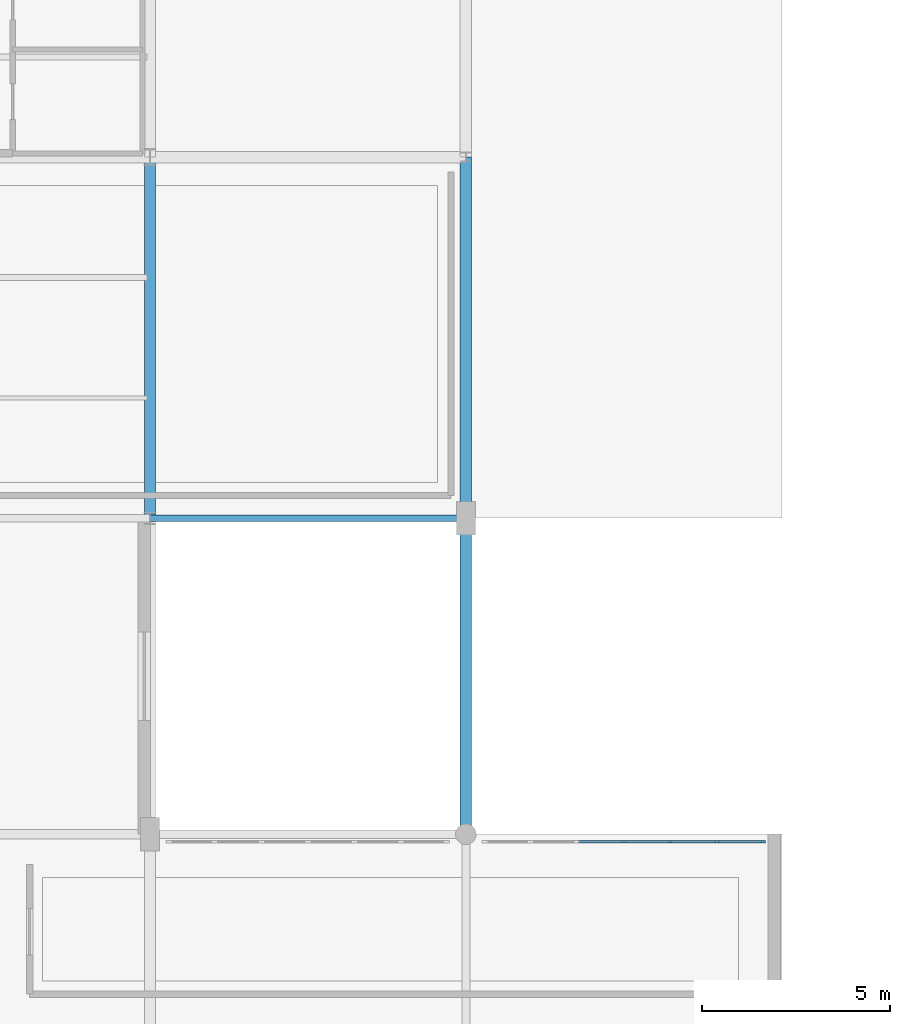
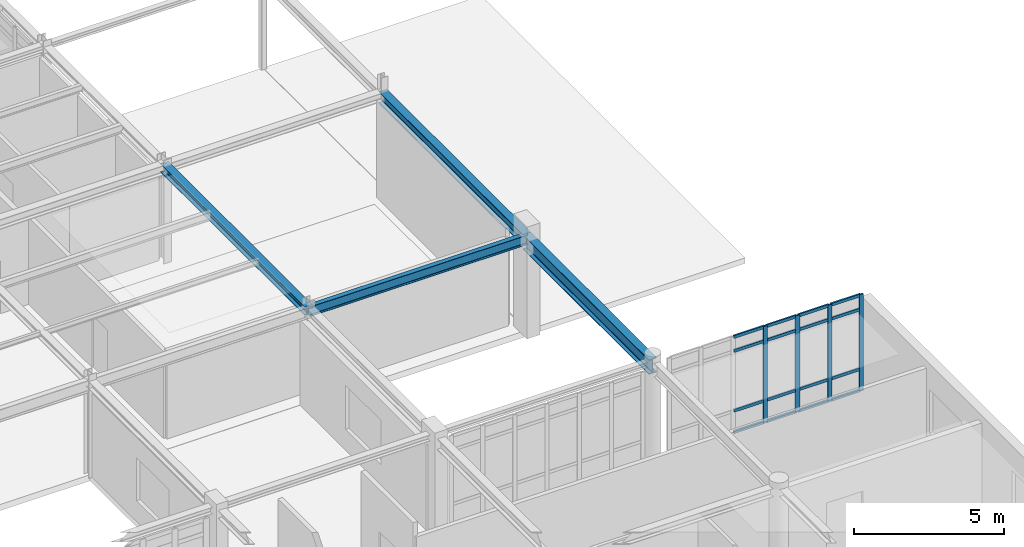
# One storey, part 24 of 90: 20 members, 4 beams, 1 element without a shape of its own.
"""IFC4 building model written with IfcOpenShell, lengths in metres."""

import ifcopenshell
import ifcopenshell.guid

model = None  # the IFC model being written
_history = None  # IfcOwnerHistory: only IFC2X3 demands one
_inside = {}  # id of a spatial element -> (the spatial element, [elements in it])
_under = {}  # id of a project, library or spatial element -> (it, [spatial elements below it])
_declared = {}  # id of a project -> (the project, [libraries it declares])
_typed = {}  # id of a type object -> (the type object, [elements of that type])
_made_of = {}  # id of a material, layer set ... -> (it, [elements and type objects made of it])


def new_model(schema):
    """Start an empty IFC model of exactly this schema.

    Asked for "IFC4X3", IfcOpenShell would pick the latest addendum, in which some entities
    have other attributes; the version numbers below select the first issue.
    IFC2X3 requires an IfcOwnerHistory on every rooted entity: one is made here for all.
    """
    global model, _history
    if schema == "IFC4X3":
        model = ifcopenshell.file(schema_version=(4, 3, 0, 0))
    else:
        model = ifcopenshell.file(schema=schema)
    _inside.clear()
    _under.clear()
    _declared.clear()
    _typed.clear()
    _made_of.clear()
    _history = None
    if model.schema == "IFC2X3":
        org = make("IfcOrganization", Name="unknown")
        user = make(
            "IfcPersonAndOrganization",
            ThePerson=make("IfcPerson", FamilyName="unknown"),
            TheOrganization=org,
        )
        app = make(
            "IfcApplication",
            ApplicationDeveloper=org,
            Version="unknown",
            ApplicationFullName="unknown",
            ApplicationIdentifier="unknown",
        )
        _history = make(
            "IfcOwnerHistory",
            OwningUser=user,
            OwningApplication=app,
            ChangeAction="ADDED",
            CreationDate=0,
        )
    return model


def make(cls, **values):
    """One entity of the class cls with the attributes given. An attribute that is None is left unset."""
    return model.create_entity(
        cls, **{name: value for name, value in values.items() if value is not None}
    )


def rooted(cls, **values):
    """An entity with a GlobalId (a new one), such as an element, a storey or a relation."""
    return make(cls, GlobalId=ifcopenshell.guid.new(), OwnerHistory=_history, **values)


def si_unit(unit_type, name, prefix=None):
    """IfcSIUnit, for example si_unit("LENGTHUNIT", "METRE", prefix="MILLI")."""
    return make("IfcSIUnit", UnitType=unit_type, Prefix=prefix, Name=name)


def derived_unit(unit_type, elements):
    """IfcDerivedUnit: a product of units, each with its exponent."""
    return make(
        "IfcDerivedUnit",
        Elements=[
            make("IfcDerivedUnitElement", Unit=unit, Exponent=power)
            for unit, power in elements
        ],
        UnitType=unit_type,
    )


def assignment(units):
    """IfcUnitAssignment: the units of a project."""
    return None if units is None else make("IfcUnitAssignment", Units=units)


def point(xyz):
    """IfcCartesianPoint."""
    return None if xyz is None else make("IfcCartesianPoint", Coordinates=xyz)


def direction(xyz):
    """IfcDirection."""
    return None if xyz is None else make("IfcDirection", DirectionRatios=xyz)


def frame(location, z_axis=None, x_axis=None):
    """IfcAxis2Placement3D, a coordinate frame: its origin and axes. An axis left out is left unset."""
    return make(
        "IfcAxis2Placement3D",
        Location=point(location),
        Axis=direction(z_axis),
        RefDirection=direction(x_axis),
    )


def frame_2d(location, x_axis=None):
    """IfcAxis2Placement2D, a coordinate frame in the plane: its origin and x axis."""
    return make(
        "IfcAxis2Placement2D", Location=point(location), RefDirection=direction(x_axis)
    )


def origin():
    """The frame at (0, 0, 0) with its axes left unset."""
    return frame((0.0, 0.0, 0.0))


def origin_2d():
    """The frame at (0, 0) in the plane with its x axis left unset."""
    return frame_2d((0.0, 0.0))


def place(relative_to, where):
    """IfcLocalPlacement: puts the frame where relative to a parent placement (None: the world)."""
    return make(
        "IfcLocalPlacement", PlacementRelTo=relative_to, RelativePlacement=where
    )


def context(
    kind, dimensions, precision=None, world=None, true_north=None, identifier=None
):
    """IfcGeometricRepresentationContext, for example the 3D "Model" context."""
    return make(
        "IfcGeometricRepresentationContext",
        ContextIdentifier=identifier,
        ContextType=kind,
        CoordinateSpaceDimension=dimensions,
        Precision=precision,
        WorldCoordinateSystem=world,
        TrueNorth=true_north,
    )


def subcontext(parent, identifier, kind, view, scale=None):
    """IfcGeometricRepresentationSubContext, for example "Body" below "Model"."""
    return make(
        "IfcGeometricRepresentationSubContext",
        ContextIdentifier=identifier,
        ContextType=kind,
        ParentContext=parent,
        TargetScale=scale,
        TargetView=view,
    )


def project(units=None, contexts=None):
    """IfcProject with its units and contexts."""
    return rooted(
        "IfcProject",
        Name="project",
        RepresentationContexts=contexts,
        UnitsInContext=assignment(units),
    )


def spatial(cls, under=None, at=None, **own):
    """A site, building, storey or space (cls), placed at a placement, below another one or the project."""
    s = rooted(cls, ObjectPlacement=at, **own)
    if under is not None:
        _under.setdefault(under.id(), (under, []))[1].append(s)
    return s


def profile(cls, at=None, kind="AREA", **sizes):
    """A parametric profile (cls). Its sizes go by their IFC names, for example OverallWidth=200.0."""
    return make(cls, ProfileType=kind, Position=at, **sizes)


def rectangle(**sizes):
    """IfcRectangleProfileDef."""
    return profile("IfcRectangleProfileDef", **sizes)


def i_section(**sizes):
    """IfcIShapeProfileDef."""
    return profile("IfcIShapeProfileDef", **sizes)


def extrude(swept, where, along, depth):
    """IfcExtrudedAreaSolid: the profile swept, set in the frame where, extruded along a direction by depth."""
    return make(
        "IfcExtrudedAreaSolid",
        SweptArea=swept,
        Position=where,
        ExtrudedDirection=direction(along),
        Depth=depth,
    )


def shape(context_of_items, identifier, shape_type, items):
    """IfcShapeRepresentation: the items that make up one representation, for example the "Body"."""
    return make(
        "IfcShapeRepresentation",
        ContextOfItems=context_of_items,
        RepresentationIdentifier=identifier,
        RepresentationType=shape_type,
        Items=items,
    )


def material(Name=None, Category=None):
    """IfcMaterial."""
    return make("IfcMaterial", Name=Name, Category=Category)


def layer(
    of_material, thickness, ventilated=None, Name=None, Category=None, Priority=None
):
    """IfcMaterialLayer: one layer of a wall or slab, of a material (None: an air gap)."""
    return make(
        "IfcMaterialLayer",
        Material=of_material,
        LayerThickness=thickness,
        IsVentilated=ventilated,
        Name=Name,
        Category=Category,
        Priority=Priority,
    )


def layer_set(layers, Name=None):
    """IfcMaterialLayerSet."""
    return make("IfcMaterialLayerSet", MaterialLayers=layers, LayerSetName=Name)


def material_profile(
    of_material, cross_section, Name=None, Category=None, Priority=None
):
    """IfcMaterialProfile: a cross section and its material."""
    return make(
        "IfcMaterialProfile",
        Name=Name,
        Material=of_material,
        Profile=cross_section,
        Priority=Priority,
        Category=Category,
    )


def profile_set(profiles, Name=None, composite=None):
    """IfcMaterialProfileSet."""
    return make(
        "IfcMaterialProfileSet",
        Name=Name,
        MaterialProfiles=profiles,
        CompositeProfile=composite,
    )


def made_of(thing, what):
    """Note that an element or type object is made of a material, layer set ...; save() writes the relation."""
    if what is not None:
        _made_of.setdefault(what.id(), (what, []))[1].append(thing)
    return thing


def type_object(cls, material=None, **own):
    """A type object (cls), such as IfcWallType, which elements share."""
    return made_of(rooted(cls, **own), material)


def element(
    cls,
    number,
    at=None,
    inside=None,
    cuts=None,
    type_object=None,
    material=None,
    context=None,
    identifier="Body",
    shape_type=None,
    held_by="IfcProductDefinitionShape",
    body=None,
    shapes=None,
    **own,
):
    """One element of the class cls, such as IfcWall. Its Tag is "e" and its number.

    at: its placement. inside: the storey or other place that contains it. cuts: it is an
    opening in that element (IfcRelVoidsElement). A single representation is given by context,
    identifier, shape_type and body (its items); several are given by shapes. held_by: the class
    of the entity that holds the representations. save() writes the other relations.
    """
    e = rooted(cls, Tag="e%d" % number, ObjectPlacement=at, **own)
    if body is not None:
        shapes = [shape(context, identifier, shape_type, body)]
    if shapes is not None:
        e.Representation = make(held_by, Representations=shapes)
    if inside is not None:
        _inside.setdefault(inside.id(), (inside, []))[1].append(e)
    if cuts is not None:
        rooted(
            "IfcRelVoidsElement", RelatingBuildingElement=cuts, RelatedOpeningElement=e
        )
    if type_object is not None:
        _typed.setdefault(type_object.id(), (type_object, []))[1].append(e)
    return made_of(e, material)


def aggregate(whole, parts):
    """IfcRelAggregates: a whole, such as a stair, and the parts it consists of."""
    return rooted("IfcRelAggregates", RelatingObject=whole, RelatedObjects=parts)


def save(model, path):
    """Write the relations noted so far, then the file.

    IfcRelAggregates (storeys below a building ...), IfcRelContainedInSpatialStructure (elements
    in a storey), IfcRelDefinesByType, IfcRelAssociatesMaterial and IfcRelDeclares: one each for
    every whole, place, type object, material and project.
    """
    for whole, parts in _under.values():
        aggregate(whole, parts)
    for where, things in _inside.values():
        rooted(
            "IfcRelContainedInSpatialStructure",
            RelatedElements=things,
            RelatingStructure=where,
        )
    for kind, things in _typed.values():
        rooted("IfcRelDefinesByType", RelatedObjects=things, RelatingType=kind)
    for what, things in _made_of.values():
        rooted("IfcRelAssociatesMaterial", RelatedObjects=things, RelatingMaterial=what)
    for by, libraries in _declared.values():
        rooted("IfcRelDeclares", RelatingContext=by, RelatedDefinitions=libraries)
    model.write(path)


model = new_model("IFC4")

# Units and contexts
model_context = context("Model", 3, precision=1e-05, world=origin(), true_north=direction((0.0, 1.0)))
body_context = subcontext(model_context, "Body", "Model", "MODEL_VIEW")
ifc_project = project(units=[si_unit("LENGTHUNIT", "METRE"), si_unit("AREAUNIT", "SQUARE_METRE"), si_unit("VOLUMEUNIT", "CUBIC_METRE"), si_unit("PLANEANGLEUNIT", "RADIAN"), si_unit("MASSUNIT", "GRAM", prefix="KILO"), derived_unit("THERMALTRANSMITTANCEUNIT", [(si_unit("POWERUNIT", "WATT"), 1), (si_unit("AREAUNIT", "SQUARE_METRE"), -1), (si_unit("THERMODYNAMICTEMPERATUREUNIT", "KELVIN"), -1)])], contexts=[model_context])

# Site, building, storey
site_placement = place(None, origin())
site = spatial("IfcSite", under=ifc_project, at=site_placement, CompositionType="ELEMENT")
building_placement = place(site_placement, origin())
building = spatial("IfcBuilding", under=site, at=building_placement, Name="Yasenodar Specialist Clinic", CompositionType="ELEMENT")
storey_placement = place(building_placement, frame((0.0, 0.0, 9.0)))
storey = spatial("IfcBuildingStorey", under=building, at=storey_placement, Name="L02", CompositionType="ELEMENT", Elevation=9.0)

# Beams
ifc_material_1 = material(Name="Steel S355", Category="steel")
ifc_material_profile_1 = material_profile(ifc_material_1, i_section(OverallWidth=0.300048828125, OverallDepth=0.340087890625, WebThickness=0.011962890625, FlangeThickness=0.021484375, FilletRadius=0.027099609375, at=origin_2d()), Name="HEB 340")
ifc_profile_set_1 = profile_set([ifc_material_profile_1], Name="Steel S355")
beam_type_1 = type_object("IfcBeamType", Name="BM-HEB340", PredefinedType="BEAM", material=ifc_profile_set_1)
beam_1_placement = place(storey_placement, frame((16.800048828125, 25.199951171875, 3.77001953125), z_axis=(0.0, 1.0, 0.0), x_axis=(-1.0, 0.0, 0.0)))
element("IfcBeam", 1, at=beam_1_placement, inside=storey, type_object=beam_type_1, Name="L02 Primary N-S Girder", PredefinedType="BEAM", context=body_context, shape_type="SweptSolid", body=[
    extrude(i_section(OverallWidth=0.300048828125, OverallDepth=0.340087890625, WebThickness=0.011962890625, FlangeThickness=0.021484375, FilletRadius=0.027099609375, at=origin_2d()), origin(), (0.0, 0.0, 1.0), 9.60009765625),
])
ifc_material_profile_2 = material_profile(ifc_material_1, i_section(OverallWidth=0.300048828125, OverallDepth=0.449951171875, WebThickness=0.013916015625, FlangeThickness=0.02587890625, FilletRadius=0.027099609375, at=origin_2d()), Name="HEB 450")
ifc_profile_set_2 = profile_set([ifc_material_profile_2], Name="Steel S355")
beam_type_2 = type_object("IfcBeamType", Name="BM-HEB450", PredefinedType="BEAM", material=ifc_profile_set_2)
beam_2_placement = place(storey_placement, frame((25.199951171875, 25.199951171875, 3.715087890625), z_axis=(0.0, 1.0, 0.0), x_axis=(-1.0, 0.0, 0.0)))
element("IfcBeam", 2, at=beam_2_placement, inside=storey, type_object=beam_type_2, Name="L02 Primary N-S Girder", PredefinedType="BEAM", context=body_context, shape_type="SweptSolid", body=[
    extrude(i_section(OverallWidth=0.300048828125, OverallDepth=0.449951171875, WebThickness=0.013916015625, FlangeThickness=0.02587890625, FilletRadius=0.027099609375, at=origin_2d()), origin(), (0.0, 0.0, 1.0), 9.60009765625),
])
ifc_material_profile_3 = material_profile(ifc_material_1, i_section(OverallWidth=0.300048828125, OverallDepth=0.60009765625, WebThickness=0.015380859375, FlangeThickness=0.030029296875, FilletRadius=0.027099609375, at=origin_2d()), Name="HEB 600")
ifc_profile_set_3 = profile_set([ifc_material_profile_3], Name="Steel S355")
beam_type_3 = type_object("IfcBeamType", Name="BM-HEB600", PredefinedType="BEAM", material=ifc_profile_set_3)
beam_3_placement = place(storey_placement, frame((25.199951171875, 16.800048828125, 3.639892578125), z_axis=(0.0, 1.0, 0.0), x_axis=(-1.0, 0.0, 0.0)))
element("IfcBeam", 3, at=beam_3_placement, inside=storey, type_object=beam_type_3, Name="L02 Primary N-S Girder", PredefinedType="BEAM", context=body_context, shape_type="SweptSolid", body=[
    extrude(i_section(OverallWidth=0.300048828125, OverallDepth=0.60009765625, WebThickness=0.015380859375, FlangeThickness=0.030029296875, FilletRadius=0.027099609375, at=origin_2d()), origin(), (0.0, 0.0, 1.0), 8.39990234375),
])
ifc_material_profile_4 = material_profile(ifc_material_1, i_section(OverallWidth=0.179931640625, OverallDepth=0.39990234375, WebThickness=0.008544921875, FlangeThickness=0.013427734375, FilletRadius=0.02099609375, at=origin_2d()), Name="IPE 400")
ifc_profile_set_4 = profile_set([ifc_material_profile_4], Name="Steel S355")
beam_type_4 = type_object("IfcBeamType", Name="BM-IPE400", PredefinedType="BEAM", material=ifc_profile_set_4)
beam_4_placement = place(storey_placement, frame((16.800048828125, 25.199951171875, 3.739990234375), z_axis=(1.0, 0.0, 0.0), x_axis=(0.0, 1.0, 0.0)))
element("IfcBeam", 4, at=beam_4_placement, inside=storey, type_object=beam_type_4, Name="L02 Primary E-W Girder", PredefinedType="BEAM", context=body_context, shape_type="SweptSolid", body=[
    extrude(i_section(OverallWidth=0.179931640625, OverallDepth=0.39990234375, WebThickness=0.008544921875, FlangeThickness=0.013427734375, FilletRadius=0.02099609375, at=origin_2d()), origin(), (0.0, 0.0, 1.0), 8.39990234375),
])

# Curtain wall, members
ifc_material_2 = material(Name="Bronze Anodized Aluminium and Triple Low-E Glass", Category="aluminium")
ifc_layer = layer(ifc_material_2, 0.202880859375)
ifc_layer_set = layer_set([ifc_layer], Name="Bronze Anodized Aluminium and Triple Low-E Glass")
curtain_wall_type = type_object("IfcCurtainWallType", Name="CW-SYS-04", PredefinedType="USERDEFINED", material=ifc_layer_set)
curtain_wall_placement = place(storey_placement, origin())
curtain_wall = element("IfcCurtainWall", 5, at=curtain_wall_placement, inside=storey, type_object=curtain_wall_type, Name="L02 Unitised Curtain Wall 077", ObjectType="UNITISED CURTAIN WALL", PredefinedType="USERDEFINED")
ifc_material_3 = material(Name="Bronze Anodized Aluminium", Category="aluminium")
ifc_material_profile_5 = material_profile(ifc_material_3, rectangle(XDim=0.06005859375, YDim=0.159912109375, at=origin_2d()), Name="CW-MULL 60x160")
ifc_profile_set_5 = profile_set([ifc_material_profile_5], Name="Bronze Anodized Aluminium")
member_type_1 = type_object("IfcMemberType", Name="CW-MULL-160", PredefinedType="MULLION", material=ifc_profile_set_5)
member_1_placement = place(storey_placement, frame((29.39990234375, 16.60009765625, 0.0), z_axis=(0.0, 0.0, 1.0), x_axis=(0.0, 1.0, 0.0)))
member_1 = element("IfcMember", 6, at=member_1_placement, type_object=member_type_1, Name="CW-04 mullion 4", PredefinedType="MULLION", context=body_context, shape_type="SweptSolid", body=[
    extrude(rectangle(XDim=0.06005859375, YDim=0.159912109375, at=origin_2d()), origin(), (0.0, 0.0, 1.0), 3.929931640625),
])
member_2_placement = place(storey_placement, frame((30.639892578125, 16.60009765625, 0.0), z_axis=(0.0, 0.0, 1.0), x_axis=(0.0, 1.0, 0.0)))
member_2 = element("IfcMember", 7, at=member_2_placement, type_object=member_type_1, Name="CW-04 mullion 5", PredefinedType="MULLION", context=body_context, shape_type="SweptSolid", body=[
    extrude(rectangle(XDim=0.06005859375, YDim=0.159912109375, at=origin_2d()), origin(), (0.0, 0.0, 1.0), 3.929931640625),
])
member_3_placement = place(storey_placement, frame((31.8798828125, 16.60009765625, 0.0), z_axis=(0.0, 0.0, 1.0), x_axis=(0.0, 1.0, 0.0)))
member_3 = element("IfcMember", 8, at=member_3_placement, type_object=member_type_1, Name="CW-04 mullion 6", PredefinedType="MULLION", context=body_context, shape_type="SweptSolid", body=[
    extrude(rectangle(XDim=0.06005859375, YDim=0.159912109375, at=origin_2d()), origin(), (0.0, 0.0, 1.0), 3.929931640625),
])
member_4_placement = place(storey_placement, frame((33.090087890625, 16.60009765625, 0.0), z_axis=(0.0, 0.0, 1.0), x_axis=(0.0, 1.0, 0.0)))
member_4 = element("IfcMember", 9, at=member_4_placement, type_object=member_type_1, Name="CW-04 mullion 7", PredefinedType="MULLION", context=body_context, shape_type="SweptSolid", body=[
    extrude(rectangle(XDim=0.06005859375, YDim=0.159912109375, at=origin_2d()), origin(), (0.0, 0.0, 1.0), 3.929931640625),
])
ifc_material_profile_6 = material_profile(ifc_material_3, rectangle(XDim=0.06005859375, YDim=0.1201171875, at=origin_2d()), Name="CW-TRAN 60x120")
ifc_profile_set_6 = profile_set([ifc_material_profile_6], Name="Bronze Anodized Aluminium")
member_type_2 = type_object("IfcMemberType", Name="CW-TRAN-120", PredefinedType="USERDEFINED", material=ifc_profile_set_6)
member_5_placement = place(storey_placement, frame((28.18994140625, 16.60009765625, 0.030029296875), z_axis=(1.0, 0.0, 0.0), x_axis=(0.0, 1.0, 0.0)))
member_5 = element("IfcMember", 10, at=member_5_placement, type_object=member_type_2, Name="CW-04 transom 3.1", ObjectType="TRANSOM", PredefinedType="USERDEFINED", context=body_context, shape_type="SweptSolid", body=[
    extrude(rectangle(XDim=0.06005859375, YDim=0.1201171875, at=origin_2d()), origin(), (0.0, 0.0, 1.0), 1.18017578125),
])
member_6_placement = place(storey_placement, frame((28.18994140625, 16.60009765625, 0.89990234375), z_axis=(1.0, 0.0, 0.0), x_axis=(0.0, 1.0, 0.0)))
member_6 = element("IfcMember", 11, at=member_6_placement, type_object=member_type_2, Name="CW-04 transom 3.2", ObjectType="TRANSOM", PredefinedType="USERDEFINED", context=body_context, shape_type="SweptSolid", body=[
    extrude(rectangle(XDim=0.06005859375, YDim=0.1201171875, at=origin_2d()), origin(), (0.0, 0.0, 1.0), 1.18017578125),
])
member_7_placement = place(storey_placement, frame((28.18994140625, 16.60009765625, 3.330078125), z_axis=(1.0, 0.0, 0.0), x_axis=(0.0, 1.0, 0.0)))
member_7 = element("IfcMember", 12, at=member_7_placement, type_object=member_type_2, Name="CW-04 transom 3.3", ObjectType="TRANSOM", PredefinedType="USERDEFINED", context=body_context, shape_type="SweptSolid", body=[
    extrude(rectangle(XDim=0.06005859375, YDim=0.1201171875, at=origin_2d()), origin(), (0.0, 0.0, 1.0), 1.18017578125),
])
member_8_placement = place(storey_placement, frame((28.18994140625, 16.60009765625, 3.89990234375), z_axis=(1.0, 0.0, 0.0), x_axis=(0.0, 1.0, 0.0)))
member_8 = element("IfcMember", 13, at=member_8_placement, type_object=member_type_2, Name="CW-04 transom 3.4", ObjectType="TRANSOM", PredefinedType="USERDEFINED", context=body_context, shape_type="SweptSolid", body=[
    extrude(rectangle(XDim=0.06005859375, YDim=0.1201171875, at=origin_2d()), origin(), (0.0, 0.0, 1.0), 1.18017578125),
])
member_9_placement = place(storey_placement, frame((29.429931640625, 16.60009765625, 0.030029296875), z_axis=(1.0, 0.0, 0.0), x_axis=(0.0, 1.0, 0.0)))
member_9 = element("IfcMember", 14, at=member_9_placement, type_object=member_type_2, Name="CW-04 transom 4.1", ObjectType="TRANSOM", PredefinedType="USERDEFINED", context=body_context, shape_type="SweptSolid", body=[
    extrude(rectangle(XDim=0.06005859375, YDim=0.1201171875, at=origin_2d()), origin(), (0.0, 0.0, 1.0), 1.18017578125),
])
member_10_placement = place(storey_placement, frame((29.429931640625, 16.60009765625, 0.89990234375), z_axis=(1.0, 0.0, 0.0), x_axis=(0.0, 1.0, 0.0)))
member_10 = element("IfcMember", 15, at=member_10_placement, type_object=member_type_2, Name="CW-04 transom 4.2", ObjectType="TRANSOM", PredefinedType="USERDEFINED", context=body_context, shape_type="SweptSolid", body=[
    extrude(rectangle(XDim=0.06005859375, YDim=0.1201171875, at=origin_2d()), origin(), (0.0, 0.0, 1.0), 1.18017578125),
])
member_11_placement = place(storey_placement, frame((29.429931640625, 16.60009765625, 3.330078125), z_axis=(1.0, 0.0, 0.0), x_axis=(0.0, 1.0, 0.0)))
member_11 = element("IfcMember", 16, at=member_11_placement, type_object=member_type_2, Name="CW-04 transom 4.3", ObjectType="TRANSOM", PredefinedType="USERDEFINED", context=body_context, shape_type="SweptSolid", body=[
    extrude(rectangle(XDim=0.06005859375, YDim=0.1201171875, at=origin_2d()), origin(), (0.0, 0.0, 1.0), 1.18017578125),
])
member_12_placement = place(storey_placement, frame((29.429931640625, 16.60009765625, 3.89990234375), z_axis=(1.0, 0.0, 0.0), x_axis=(0.0, 1.0, 0.0)))
member_12 = element("IfcMember", 17, at=member_12_placement, type_object=member_type_2, Name="CW-04 transom 4.4", ObjectType="TRANSOM", PredefinedType="USERDEFINED", context=body_context, shape_type="SweptSolid", body=[
    extrude(rectangle(XDim=0.06005859375, YDim=0.1201171875, at=origin_2d()), origin(), (0.0, 0.0, 1.0), 1.18017578125),
])
member_13_placement = place(storey_placement, frame((30.669921875, 16.60009765625, 0.030029296875), z_axis=(1.0, 0.0, 0.0), x_axis=(0.0, 1.0, 0.0)))
member_13 = element("IfcMember", 18, at=member_13_placement, type_object=member_type_2, Name="CW-04 transom 5.1", ObjectType="TRANSOM", PredefinedType="USERDEFINED", context=body_context, shape_type="SweptSolid", body=[
    extrude(rectangle(XDim=0.06005859375, YDim=0.1201171875, at=origin_2d()), origin(), (0.0, 0.0, 1.0), 1.18017578125),
])
member_14_placement = place(storey_placement, frame((30.669921875, 16.60009765625, 0.89990234375), z_axis=(1.0, 0.0, 0.0), x_axis=(0.0, 1.0, 0.0)))
member_14 = element("IfcMember", 19, at=member_14_placement, type_object=member_type_2, Name="CW-04 transom 5.2", ObjectType="TRANSOM", PredefinedType="USERDEFINED", context=body_context, shape_type="SweptSolid", body=[
    extrude(rectangle(XDim=0.06005859375, YDim=0.1201171875, at=origin_2d()), origin(), (0.0, 0.0, 1.0), 1.18017578125),
])
member_15_placement = place(storey_placement, frame((30.669921875, 16.60009765625, 3.330078125), z_axis=(1.0, 0.0, 0.0), x_axis=(0.0, 1.0, 0.0)))
member_15 = element("IfcMember", 20, at=member_15_placement, type_object=member_type_2, Name="CW-04 transom 5.3", ObjectType="TRANSOM", PredefinedType="USERDEFINED", context=body_context, shape_type="SweptSolid", body=[
    extrude(rectangle(XDim=0.06005859375, YDim=0.1201171875, at=origin_2d()), origin(), (0.0, 0.0, 1.0), 1.18017578125),
])
member_16_placement = place(storey_placement, frame((30.669921875, 16.60009765625, 3.89990234375), z_axis=(1.0, 0.0, 0.0), x_axis=(0.0, 1.0, 0.0)))
member_16 = element("IfcMember", 21, at=member_16_placement, type_object=member_type_2, Name="CW-04 transom 5.4", ObjectType="TRANSOM", PredefinedType="USERDEFINED", context=body_context, shape_type="SweptSolid", body=[
    extrude(rectangle(XDim=0.06005859375, YDim=0.1201171875, at=origin_2d()), origin(), (0.0, 0.0, 1.0), 1.18017578125),
])
member_17_placement = place(storey_placement, frame((31.909912109375, 16.60009765625, 0.030029296875), z_axis=(1.0, 0.0, 0.0), x_axis=(0.0, 1.0, 0.0)))
member_17 = element("IfcMember", 22, at=member_17_placement, type_object=member_type_2, Name="CW-04 transom 6.1", ObjectType="TRANSOM", PredefinedType="USERDEFINED", context=body_context, shape_type="SweptSolid", body=[
    extrude(rectangle(XDim=0.06005859375, YDim=0.1201171875, at=origin_2d()), origin(), (0.0, 0.0, 1.0), 1.150146484375),
])
member_18_placement = place(storey_placement, frame((31.909912109375, 16.60009765625, 0.89990234375), z_axis=(1.0, 0.0, 0.0), x_axis=(0.0, 1.0, 0.0)))
member_18 = element("IfcMember", 23, at=member_18_placement, type_object=member_type_2, Name="CW-04 transom 6.2", ObjectType="TRANSOM", PredefinedType="USERDEFINED", context=body_context, shape_type="SweptSolid", body=[
    extrude(rectangle(XDim=0.06005859375, YDim=0.1201171875, at=origin_2d()), origin(), (0.0, 0.0, 1.0), 1.150146484375),
])
member_19_placement = place(storey_placement, frame((31.909912109375, 16.60009765625, 3.330078125), z_axis=(1.0, 0.0, 0.0), x_axis=(0.0, 1.0, 0.0)))
member_19 = element("IfcMember", 24, at=member_19_placement, type_object=member_type_2, Name="CW-04 transom 6.3", ObjectType="TRANSOM", PredefinedType="USERDEFINED", context=body_context, shape_type="SweptSolid", body=[
    extrude(rectangle(XDim=0.06005859375, YDim=0.1201171875, at=origin_2d()), origin(), (0.0, 0.0, 1.0), 1.150146484375),
])
member_20_placement = place(storey_placement, frame((31.909912109375, 16.60009765625, 3.89990234375), z_axis=(1.0, 0.0, 0.0), x_axis=(0.0, 1.0, 0.0)))
member_20 = element("IfcMember", 25, at=member_20_placement, type_object=member_type_2, Name="CW-04 transom 6.4", ObjectType="TRANSOM", PredefinedType="USERDEFINED", context=body_context, shape_type="SweptSolid", body=[
    extrude(rectangle(XDim=0.06005859375, YDim=0.1201171875, at=origin_2d()), origin(), (0.0, 0.0, 1.0), 1.150146484375),
])
aggregate(curtain_wall, [member_1, member_2, member_3, member_4, member_5, member_6, member_7, member_8, member_9, member_10, member_11, member_12, member_13, member_14, member_15, member_16, member_17, member_18, member_19, member_20])

save(model, "model.ifc")
